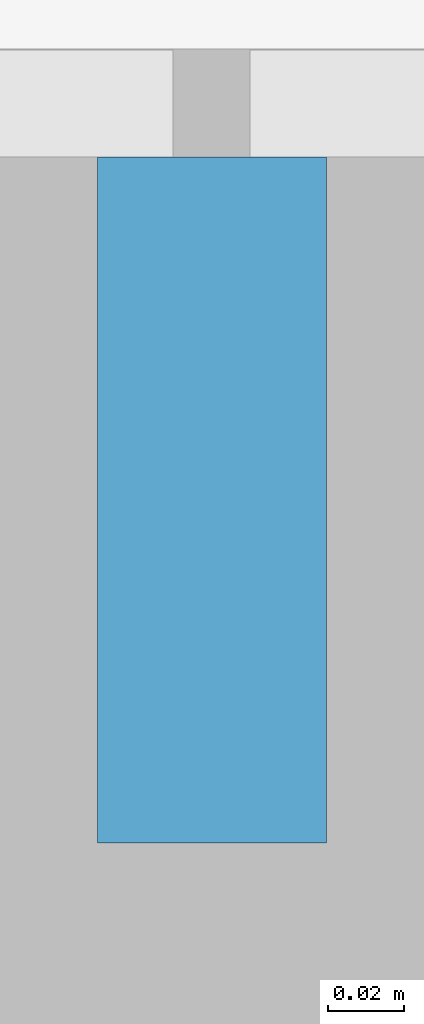
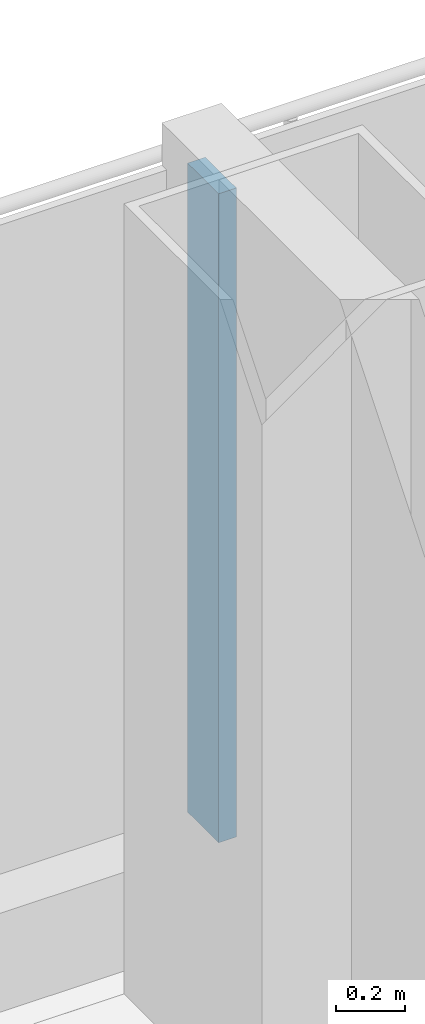
# One storey, part 6 of 34: 1 member, 1 element without a shape of its own.
"""IFC4 building model written with IfcOpenShell, lengths in metres."""

from ifc_helpers import new_model, si_unit, direction, frame, origin, origin_2d, place, context, subcontext, project, spatial, rectangle, extrude, material, layer, layer_set, material_profile, profile_set, type_object, element, aggregate, save


model = new_model("IFC4")

# Units and contexts
model_context = context("Model", 3, precision=1e-05, world=origin(), true_north=direction((0.0, 1.0)))
body_context = subcontext(model_context, "Body", "Model", "MODEL_VIEW")
ifc_project = project(units=[si_unit("LENGTHUNIT", "METRE"), si_unit("AREAUNIT", "SQUARE_METRE"), si_unit("VOLUMEUNIT", "CUBIC_METRE"), si_unit("PLANEANGLEUNIT", "RADIAN"), si_unit("MASSUNIT", "GRAM", prefix="KILO")], contexts=[model_context])

# Site, building, storey
site_placement = place(None, origin())
site = spatial("IfcSite", under=ifc_project, at=site_placement, CompositionType="ELEMENT")
building_placement = place(site_placement, origin())
building = spatial("IfcBuilding", under=site, at=building_placement, Name="Hakoniwa Tower and Hamabe Station Hall", CompositionType="ELEMENT")
storey_placement = place(building_placement, frame((0.0, 0.0, 107.39990234375)))
storey = spatial("IfcBuildingStorey", under=building, at=storey_placement, Name="L30", CompositionType="ELEMENT", Elevation=107.39990234375)

# Curtain wall, member
ifc_material_1 = material(Name="Dark low-e laminated glass", Category="glass")
ifc_layer = layer(ifc_material_1, 0.199951171875)
ifc_layer_set = layer_set([ifc_layer], Name="CW-1 UNITISED GUEST")
curtain_wall_type = type_object("IfcCurtainWallType", Name="CW-1 UNITISED GUEST", PredefinedType="NOTDEFINED", material=ifc_layer_set)
curtain_wall_placement = place(storey_placement, origin())
curtain_wall = element("IfcCurtainWall", 1, at=curtain_wall_placement, inside=storey, type_object=curtain_wall_type, Name="CW-1 curtain wall", PredefinedType="NOTDEFINED")
ifc_material_2 = material(Name="Aluminium 6063-T5 black anodised", Category="aluminium")
ifc_material_profile = material_profile(ifc_material_2, rectangle(XDim=0.06005859375, YDim=0.179931640625, at=origin_2d()), Name="CW-1 MULLION 60X180")
ifc_profile_set = profile_set([ifc_material_profile], Name="Aluminium 6063-T5 black anodised")
member_type = type_object("IfcMemberType", Name="CW-1 MULLION 60X180", PredefinedType="MULLION", material=ifc_profile_set)
member_placement = place(storey_placement, frame((-8.39990234375, 23.431884765625, 0.35009765625), z_axis=(0.0, 0.0, 1.0), x_axis=(-1.0, 0.0, 0.0)))
member = element("IfcMember", 2, at=member_placement, type_object=member_type, Name="CW-1 mullion", PredefinedType="MULLION", context=body_context, shape_type="SweptSolid", body=[
    extrude(rectangle(XDim=0.06005859375, YDim=0.179931640625, at=origin_2d()), origin(), (0.0, 0.0, 1.0), 2.300048828125),
])
aggregate(curtain_wall, [member])

save(model, "model.ifc")
